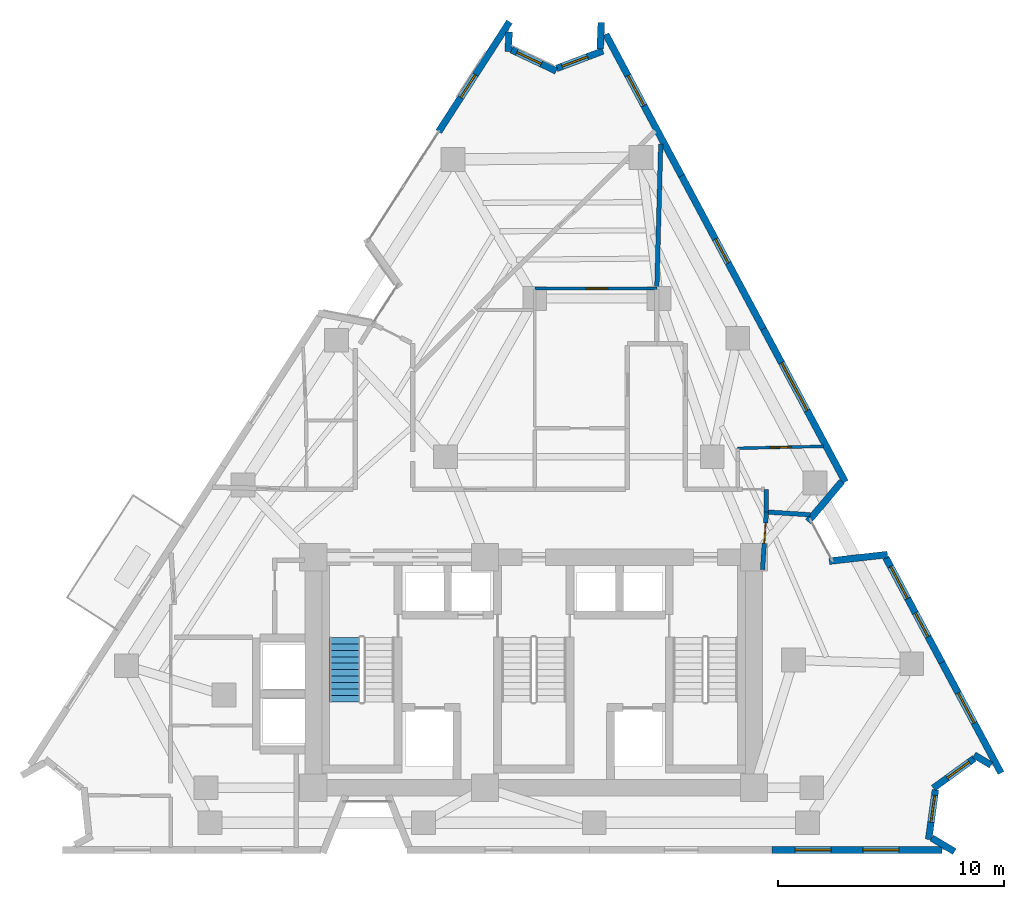
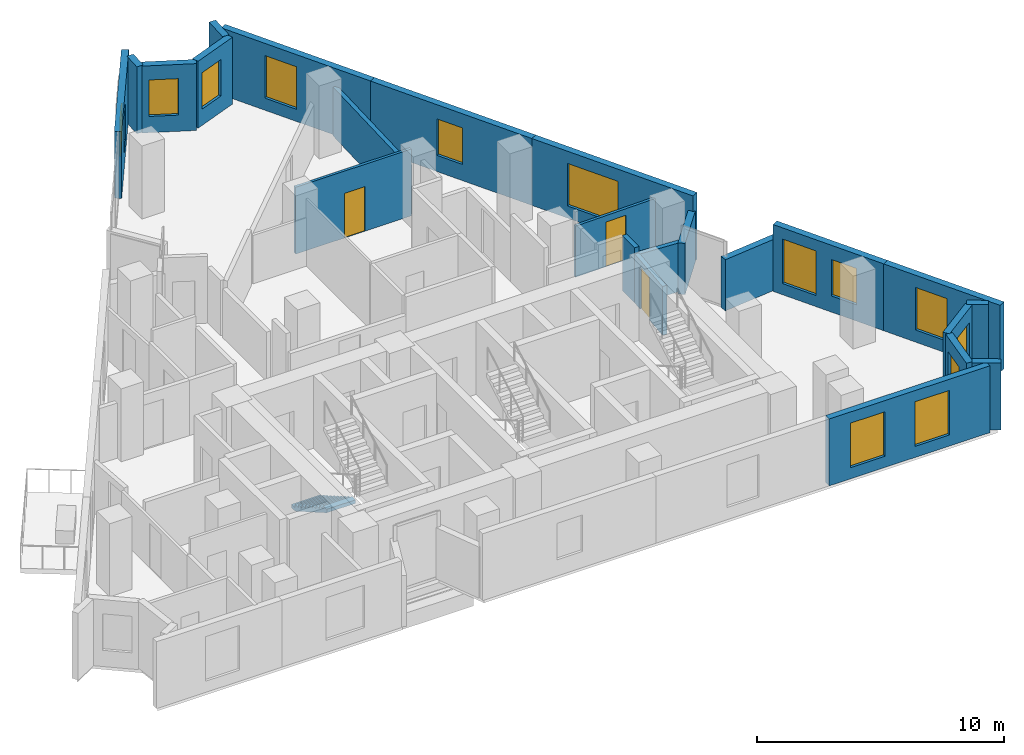
# One storey, part 8 of 11: 23 walls, 13 windows, 3 doors, 1 stair flight, 16 openings, 1 element without a shape of its own.
"""IFC4 building model written with IfcOpenShell, lengths in metres."""

import ifcopenshell
import ifcopenshell.guid

model = None  # the IFC model being written
_history = None  # IfcOwnerHistory: only IFC2X3 demands one
_inside = {}  # id of a spatial element -> (the spatial element, [elements in it])
_under = {}  # id of a project, library or spatial element -> (it, [spatial elements below it])
_declared = {}  # id of a project -> (the project, [libraries it declares])
_typed = {}  # id of a type object -> (the type object, [elements of that type])
_made_of = {}  # id of a material, layer set ... -> (it, [elements and type objects made of it])


def new_model(schema):
    """Start an empty IFC model of exactly this schema.

    Asked for "IFC4X3", IfcOpenShell would pick the latest addendum, in which some entities
    have other attributes; the version numbers below select the first issue.
    IFC2X3 requires an IfcOwnerHistory on every rooted entity: one is made here for all.
    """
    global model, _history
    if schema == "IFC4X3":
        model = ifcopenshell.file(schema_version=(4, 3, 0, 0))
    else:
        model = ifcopenshell.file(schema=schema)
    _inside.clear()
    _under.clear()
    _declared.clear()
    _typed.clear()
    _made_of.clear()
    _history = None
    if model.schema == "IFC2X3":
        org = make("IfcOrganization", Name="unknown")
        user = make(
            "IfcPersonAndOrganization",
            ThePerson=make("IfcPerson", FamilyName="unknown"),
            TheOrganization=org,
        )
        app = make(
            "IfcApplication",
            ApplicationDeveloper=org,
            Version="unknown",
            ApplicationFullName="unknown",
            ApplicationIdentifier="unknown",
        )
        _history = make(
            "IfcOwnerHistory",
            OwningUser=user,
            OwningApplication=app,
            ChangeAction="ADDED",
            CreationDate=0,
        )
    return model


def make(cls, **values):
    """One entity of the class cls with the attributes given. An attribute that is None is left unset."""
    return model.create_entity(
        cls, **{name: value for name, value in values.items() if value is not None}
    )


def rooted(cls, **values):
    """An entity with a GlobalId (a new one), such as an element, a storey or a relation."""
    return make(cls, GlobalId=ifcopenshell.guid.new(), OwnerHistory=_history, **values)


def si_unit(unit_type, name, prefix=None):
    """IfcSIUnit, for example si_unit("LENGTHUNIT", "METRE", prefix="MILLI")."""
    return make("IfcSIUnit", UnitType=unit_type, Prefix=prefix, Name=name)


def assignment(units):
    """IfcUnitAssignment: the units of a project."""
    return None if units is None else make("IfcUnitAssignment", Units=units)


def point(xyz):
    """IfcCartesianPoint."""
    return None if xyz is None else make("IfcCartesianPoint", Coordinates=xyz)


def direction(xyz):
    """IfcDirection."""
    return None if xyz is None else make("IfcDirection", DirectionRatios=xyz)


def frame(location, z_axis=None, x_axis=None):
    """IfcAxis2Placement3D, a coordinate frame: its origin and axes. An axis left out is left unset."""
    return make(
        "IfcAxis2Placement3D",
        Location=point(location),
        Axis=direction(z_axis),
        RefDirection=direction(x_axis),
    )


def frame_2d(location, x_axis=None):
    """IfcAxis2Placement2D, a coordinate frame in the plane: its origin and x axis."""
    return make(
        "IfcAxis2Placement2D", Location=point(location), RefDirection=direction(x_axis)
    )


def origin():
    """The frame at (0, 0, 0) with its axes left unset."""
    return frame((0.0, 0.0, 0.0))


def place(relative_to, where):
    """IfcLocalPlacement: puts the frame where relative to a parent placement (None: the world)."""
    return make(
        "IfcLocalPlacement", PlacementRelTo=relative_to, RelativePlacement=where
    )


def context(
    kind, dimensions, precision=None, world=None, true_north=None, identifier=None
):
    """IfcGeometricRepresentationContext, for example the 3D "Model" context."""
    return make(
        "IfcGeometricRepresentationContext",
        ContextIdentifier=identifier,
        ContextType=kind,
        CoordinateSpaceDimension=dimensions,
        Precision=precision,
        WorldCoordinateSystem=world,
        TrueNorth=true_north,
    )


def subcontext(parent, identifier, kind, view, scale=None):
    """IfcGeometricRepresentationSubContext, for example "Body" below "Model"."""
    return make(
        "IfcGeometricRepresentationSubContext",
        ContextIdentifier=identifier,
        ContextType=kind,
        ParentContext=parent,
        TargetScale=scale,
        TargetView=view,
    )


def project(units=None, contexts=None):
    """IfcProject with its units and contexts."""
    return rooted(
        "IfcProject",
        Name="project",
        RepresentationContexts=contexts,
        UnitsInContext=assignment(units),
    )


def spatial(cls, under=None, at=None, **own):
    """A site, building, storey or space (cls), placed at a placement, below another one or the project."""
    s = rooted(cls, ObjectPlacement=at, **own)
    if under is not None:
        _under.setdefault(under.id(), (under, []))[1].append(s)
    return s


def polyline(points):
    """IfcPolyline through the points."""
    return make("IfcPolyline", Points=[point(p) for p in points])


def profile(cls, at=None, kind="AREA", **sizes):
    """A parametric profile (cls). Its sizes go by their IFC names, for example OverallWidth=200.0."""
    return make(cls, ProfileType=kind, Position=at, **sizes)


def rectangle(**sizes):
    """IfcRectangleProfileDef."""
    return profile("IfcRectangleProfileDef", **sizes)


def outline(outer, holes=None, kind="AREA"):
    """IfcArbitraryClosedProfileDef: a profile drawn as a closed curve; with holes, ...WithVoids."""
    if holes is None:
        return make("IfcArbitraryClosedProfileDef", ProfileType=kind, OuterCurve=outer)
    return make(
        "IfcArbitraryProfileDefWithVoids",
        ProfileType=kind,
        OuterCurve=outer,
        InnerCurves=holes,
    )


def extrude(swept, where, along, depth):
    """IfcExtrudedAreaSolid: the profile swept, set in the frame where, extruded along a direction by depth."""
    return make(
        "IfcExtrudedAreaSolid",
        SweptArea=swept,
        Position=where,
        ExtrudedDirection=direction(along),
        Depth=depth,
    )


def shape(context_of_items, identifier, shape_type, items):
    """IfcShapeRepresentation: the items that make up one representation, for example the "Body"."""
    return make(
        "IfcShapeRepresentation",
        ContextOfItems=context_of_items,
        RepresentationIdentifier=identifier,
        RepresentationType=shape_type,
        Items=items,
    )


def material(Name=None, Category=None):
    """IfcMaterial."""
    return make("IfcMaterial", Name=Name, Category=Category)


def layer(
    of_material, thickness, ventilated=None, Name=None, Category=None, Priority=None
):
    """IfcMaterialLayer: one layer of a wall or slab, of a material (None: an air gap)."""
    return make(
        "IfcMaterialLayer",
        Material=of_material,
        LayerThickness=thickness,
        IsVentilated=ventilated,
        Name=Name,
        Category=Category,
        Priority=Priority,
    )


def layer_set(layers, Name=None):
    """IfcMaterialLayerSet."""
    return make("IfcMaterialLayerSet", MaterialLayers=layers, LayerSetName=Name)


def made_of(thing, what):
    """Note that an element or type object is made of a material, layer set ...; save() writes the relation."""
    if what is not None:
        _made_of.setdefault(what.id(), (what, []))[1].append(thing)
    return thing


def type_object(cls, material=None, **own):
    """A type object (cls), such as IfcWallType, which elements share."""
    return made_of(rooted(cls, **own), material)


def element(
    cls,
    number,
    at=None,
    inside=None,
    cuts=None,
    type_object=None,
    material=None,
    context=None,
    identifier="Body",
    shape_type=None,
    held_by="IfcProductDefinitionShape",
    body=None,
    shapes=None,
    **own,
):
    """One element of the class cls, such as IfcWall. Its Tag is "e" and its number.

    at: its placement. inside: the storey or other place that contains it. cuts: it is an
    opening in that element (IfcRelVoidsElement). A single representation is given by context,
    identifier, shape_type and body (its items); several are given by shapes. held_by: the class
    of the entity that holds the representations. save() writes the other relations.
    """
    e = rooted(cls, Tag="e%d" % number, ObjectPlacement=at, **own)
    if body is not None:
        shapes = [shape(context, identifier, shape_type, body)]
    if shapes is not None:
        e.Representation = make(held_by, Representations=shapes)
    if inside is not None:
        _inside.setdefault(inside.id(), (inside, []))[1].append(e)
    if cuts is not None:
        rooted(
            "IfcRelVoidsElement", RelatingBuildingElement=cuts, RelatedOpeningElement=e
        )
    if type_object is not None:
        _typed.setdefault(type_object.id(), (type_object, []))[1].append(e)
    return made_of(e, material)


def fill(opening, filler):
    """IfcRelFillsElement: the door or window that sits in an opening."""
    return rooted(
        "IfcRelFillsElement",
        RelatingOpeningElement=opening,
        RelatedBuildingElement=filler,
    )


def aggregate(whole, parts):
    """IfcRelAggregates: a whole, such as a stair, and the parts it consists of."""
    return rooted("IfcRelAggregates", RelatingObject=whole, RelatedObjects=parts)


def save(model, path):
    """Write the relations noted so far, then the file.

    IfcRelAggregates (storeys below a building ...), IfcRelContainedInSpatialStructure (elements
    in a storey), IfcRelDefinesByType, IfcRelAssociatesMaterial and IfcRelDeclares: one each for
    every whole, place, type object, material and project.
    """
    for whole, parts in _under.values():
        aggregate(whole, parts)
    for where, things in _inside.values():
        rooted(
            "IfcRelContainedInSpatialStructure",
            RelatedElements=things,
            RelatingStructure=where,
        )
    for kind, things in _typed.values():
        rooted("IfcRelDefinesByType", RelatedObjects=things, RelatingType=kind)
    for what, things in _made_of.values():
        rooted("IfcRelAssociatesMaterial", RelatedObjects=things, RelatingMaterial=what)
    for by, libraries in _declared.values():
        rooted("IfcRelDeclares", RelatingContext=by, RelatedDefinitions=libraries)
    model.write(path)


model = new_model("IFC4")

# Units and contexts
model_context = context("Model", 3, precision=1e-05, world=origin(), true_north=direction((0.0, 1.0)))
body_context = subcontext(model_context, "Body", "Model", "MODEL_VIEW")
ifc_project = project(units=[si_unit("LENGTHUNIT", "METRE"), si_unit("AREAUNIT", "SQUARE_METRE"), si_unit("VOLUMEUNIT", "CUBIC_METRE"), si_unit("PLANEANGLEUNIT", "RADIAN"), si_unit("MASSUNIT", "GRAM", prefix="KILO")], contexts=[model_context])

# Site, building, storey
site_placement = place(None, origin())
site = spatial("IfcSite", under=ifc_project, at=site_placement, CompositionType="ELEMENT")
building_placement = place(site_placement, origin())
building = spatial("IfcBuilding", under=site, at=building_placement, Name="Almagre Mirador Tower", CompositionType="ELEMENT")
storey_placement = place(building_placement, frame((0.0, 0.0, 193.199951171875)))
storey = spatial("IfcBuildingStorey", under=building, at=storey_placement, Name="L50", CompositionType="ELEMENT", Elevation=193.199951171875)

# Wall, opening, window
ifc_material_1 = material(Name="Precast concrete C50/60", Category="concrete")
ifc_layer_1 = layer(ifc_material_1, 0.300048828125)
ifc_layer_set_1 = layer_set([ifc_layer_1], Name="Precast concrete C50/60")
wall_type_1 = type_object("IfcWallType", Name="WAL-EXT-300", PredefinedType="SOLIDWALL", material=ifc_layer_set_1)
wall_1_placement = place(storey_placement, frame((33.097900390625, 33.580078125, 0.0), z_axis=(0.0, 0.0, 1.0), x_axis=(0.542037422538, 0.840354349408, 0.0)))
wall_1 = element("IfcWall", 1, at=wall_1_placement, inside=storey, type_object=wall_type_1, Name="L50 expressed almagre precast frame wall 03", PredefinedType="SOLIDWALL", context=body_context, shape_type="SweptSolid", body=[
    extrude(rectangle(XDim=5.781982421875, YDim=0.300048828125, at=frame_2d((2.89111328125, 0.0))), origin(), (0.0, 0.0, 1.0), 3.300048828125),
])
opening_1_placement = place(wall_1_placement, frame((1.800048828125, 0.0, 0.800048828125)))
opening_1 = element("IfcOpeningElement", 2, at=opening_1_placement, cuts=wall_1, Name="Opening WN-04", PredefinedType="OPENING", context=body_context, shape_type="SweptSolid", body=[
    extrude(rectangle(XDim=1.199951171875, YDim=1.800048828125, at=frame_2d((0.60009765625, 0.89990234375))), frame((0.0, 0.159902, 0.0), z_axis=(0.0, -1.0, 0.0), x_axis=(1.0, 0.0, 0.0)), (0.0, 0.0, 1.0), 0.320049),
])
ifc_material_2 = material(Name="Dark solar-control laminated hurricane glass", Category="glass")
window_type_1 = type_object("IfcWindowType", Name="WIN-1200X1800", PartitioningType="SINGLE_PANEL", PredefinedType="WINDOW", material=ifc_material_2)
window_1_placement = place(opening_1_placement, origin())
window_1 = element("IfcWindow", 3, at=window_1_placement, inside=storey, type_object=window_type_1, Name="L50 recessed hurricane window L50-RST-G", OverallHeight=1.800048828125, OverallWidth=1.199951171875, PartitioningType="SINGLE_PANEL", PredefinedType="WINDOW", context=body_context, shape_type="SweptSolid", body=[
    extrude(rectangle(XDim=1.199951171875, YDim=1.800048828125, at=frame_2d((0.60009765625, 0.89990234375))), frame((0.0, 0.030029296875, 0.0), z_axis=(0.0, -1.0, 0.0), x_axis=(1.0, 0.0, 0.0)), (0.0, 0.0, 1.0), 0.06005859375),
])
fill(opening_1, window_1)

# Wall
wall_2_placement = place(storey_placement, frame((36.213623046875, 37.994384765625, 0.0), z_axis=(0.0, 0.0, 1.0), x_axis=(-0.040926134278, -0.999162174791, 0.0)))
element("IfcWall", 4, at=wall_2_placement, inside=storey, type_object=wall_type_1, Name="L50 expressed almagre precast frame wall 04", PredefinedType="SOLIDWALL", context=body_context, shape_type="SweptSolid", body=[
    extrude(rectangle(XDim=0.864990234375, YDim=0.300048828125, at=frame_2d((0.4326171875, 0.0))), origin(), (0.0, 0.0, 1.0), 3.300048828125),
])

# Wall, opening, window
wall_3_placement = place(storey_placement, frame((36.310546875, 37.2099609375, 0.0), z_axis=(0.0, 0.0, 1.0), x_axis=(0.903471604204, -0.428647944585, 0.0)))
wall_3 = element("IfcWall", 5, at=wall_3_placement, inside=storey, type_object=wall_type_1, Name="L50 expressed almagre precast frame wall 05", PredefinedType="SOLIDWALL", context=body_context, shape_type="SweptSolid", body=[
    extrude(rectangle(XDim=2.204833984375, YDim=0.300048828125, at=frame_2d((1.1025390625, 0.0))), origin(), (0.0, 0.0, 1.0), 3.300048828125),
])
opening_2_placement = place(wall_3_placement, frame((0.27001953125, 0.0, 0.800048828125)))
opening_2 = element("IfcOpeningElement", 6, at=opening_2_placement, cuts=wall_3, Name="Opening WN-04", PredefinedType="OPENING", context=body_context, shape_type="SweptSolid", body=[
    extrude(rectangle(XDim=1.199951171875, YDim=1.800048828125, at=frame_2d((0.60009765625, 0.89990234375))), frame((0.0, 0.159902, 0.0), z_axis=(0.0, -1.0, 0.0), x_axis=(1.0, 0.0, 0.0)), (0.0, 0.0, 1.0), 0.320049),
])
window_2_placement = place(opening_2_placement, origin())
window_2 = element("IfcWindow", 7, at=window_2_placement, inside=storey, type_object=window_type_1, Name="L50 recessed hurricane window L50-RST-G", OverallHeight=1.800048828125, OverallWidth=1.199951171875, PartitioningType="SINGLE_PANEL", PredefinedType="WINDOW", context=body_context, shape_type="SweptSolid", body=[
    extrude(rectangle(XDim=1.199951171875, YDim=1.800048828125, at=frame_2d((0.60009765625, 0.89990234375))), frame((0.0, 0.030029296875, 0.0), z_axis=(0.0, -1.0, 0.0), x_axis=(1.0, 0.0, 0.0)), (0.0, 0.0, 1.0), 0.06005859375),
])
fill(opening_2, window_2)

wall_4_placement = place(storey_placement, frame((38.31640625, 36.3779296875, 0.0), z_axis=(0.0, 0.0, 1.0), x_axis=(0.935503953589, 0.353316222129, 0.0)))
wall_4 = element("IfcWall", 8, at=wall_4_placement, inside=storey, type_object=wall_type_1, Name="L50 expressed almagre precast frame wall 06", PredefinedType="SOLIDWALL", context=body_context, shape_type="SweptSolid", body=[
    extrude(rectangle(XDim=2.1953125, YDim=0.300048828125, at=frame_2d((1.09765625, 0.0))), origin(), (0.0, 0.0, 1.0), 3.300048828125),
])
opening_3_placement = place(wall_4_placement, frame((0.260009765625, 0.0, 0.800048828125)))
opening_3 = element("IfcOpeningElement", 9, at=opening_3_placement, cuts=wall_4, Name="Opening WN-04", PredefinedType="OPENING", context=body_context, shape_type="SweptSolid", body=[
    extrude(rectangle(XDim=1.199951171875, YDim=1.800048828125, at=frame_2d((0.60009765625, 0.89990234375))), frame((0.0, 0.159902, 0.0), z_axis=(0.0, -1.0, 0.0), x_axis=(1.0, 0.0, 0.0)), (0.0, 0.0, 1.0), 0.320049),
])
window_3_placement = place(opening_3_placement, origin())
window_3 = element("IfcWindow", 10, at=window_3_placement, inside=storey, type_object=window_type_1, Name="L50 recessed hurricane window L50-RST-G", OverallHeight=1.800048828125, OverallWidth=1.199951171875, PartitioningType="SINGLE_PANEL", PredefinedType="WINDOW", context=body_context, shape_type="SweptSolid", body=[
    extrude(rectangle(XDim=1.199951171875, YDim=1.800048828125, at=frame_2d((0.60009765625, 0.89990234375))), frame((0.0, 0.030029296875, 0.0), z_axis=(0.0, -1.0, 0.0), x_axis=(1.0, 0.0, 0.0)), (0.0, 0.0, 1.0), 0.06005859375),
])
fill(opening_3, window_3)

# Wall
wall_5_placement = place(storey_placement, frame((40.24462890625, 37.239013671875, 0.0), z_axis=(0.0, 0.0, 1.0), x_axis=(0.040939027533, 0.999161646594, 0.0)))
element("IfcWall", 11, at=wall_5_placement, inside=storey, type_object=wall_type_1, Name="L50 expressed almagre precast frame wall 07", PredefinedType="SOLIDWALL", context=body_context, shape_type="SweptSolid", body=[
    extrude(rectangle(XDim=1.1748046875, YDim=0.300048828125, at=frame_2d((0.58740234375, 0.0))), origin(), (0.0, 0.0, 1.0), 3.300048828125),
])

# Wall, opening, window
wall_6_placement = place(storey_placement, frame((40.49462890625, 37.885009765625, 0.0), z_axis=(0.0, 0.0, 1.0), x_axis=(0.471731834897, -0.88174206883, 0.0)))
wall_6 = element("IfcWall", 12, at=wall_6_placement, inside=storey, type_object=wall_type_1, Name="L50 expressed almagre precast frame wall 08", PredefinedType="SOLIDWALL", context=body_context, shape_type="SweptSolid", body=[
    extrude(rectangle(XDim=7.10009765625, YDim=0.300048828125, at=frame_2d((3.550048828125, 0.0))), origin(), (0.0, 0.0, 1.0), 3.300048828125),
])
opening_4_placement = place(wall_6_placement, frame((2.070068359375, 0.0, 0.60009765625)))
opening_4 = element("IfcOpeningElement", 13, at=opening_4_placement, cuts=wall_6, Name="Opening WN-03", PredefinedType="OPENING", context=body_context, shape_type="SweptSolid", body=[
    extrude(rectangle(XDim=1.5, YDim=2.10009765625, at=frame_2d((0.75, 1.050048828125))), frame((0.0, 0.159902, 0.0), z_axis=(0.0, -1.0, 0.0), x_axis=(1.0, 0.0, 0.0)), (0.0, 0.0, 1.0), 0.320049),
])
ifc_material_3 = material(Name="Dark solar-control laminated hurricane glass", Category="glass")
window_type_2 = type_object("IfcWindowType", Name="WIN-1500X2100", PartitioningType="DOUBLE_PANEL_VERTICAL", PredefinedType="WINDOW", material=ifc_material_3)
window_4_placement = place(opening_4_placement, origin())
window_4 = element("IfcWindow", 14, at=window_4_placement, inside=storey, type_object=window_type_2, Name="L50 recessed hurricane window L50-RST-G", OverallHeight=2.10009765625, OverallWidth=1.5, PartitioningType="SINGLE_PANEL", PredefinedType="WINDOW", context=body_context, shape_type="SweptSolid", body=[
    extrude(rectangle(XDim=1.5, YDim=2.10009765625, at=frame_2d((0.75, 1.050048828125))), frame((0.0, 0.030029296875, 0.0), z_axis=(0.0, -1.0, 0.0), x_axis=(1.0, 0.0, 0.0)), (0.0, 0.0, 1.0), 0.06005859375),
])
fill(opening_4, window_4)

wall_7_placement = place(storey_placement, frame((43.843994140625, 31.62451171875, 0.0), z_axis=(0.0, 0.0, 1.0), x_axis=(0.471736169991, -0.881739749542, 0.0)))
wall_7 = element("IfcWall", 15, at=wall_7_placement, inside=storey, type_object=wall_type_1, Name="L50 expressed almagre precast frame wall 09", PredefinedType="SOLIDWALL", context=body_context, shape_type="SweptSolid", body=[
    extrude(rectangle(XDim=7.68017578125, YDim=0.300048828125, at=frame_2d((3.840087890625, 0.0))), origin(), (0.0, 0.0, 1.0), 3.300048828125),
])
opening_5_placement = place(wall_7_placement, frame((3.175048828125, 0.0, 0.800048828125)))
opening_5 = element("IfcOpeningElement", 16, at=opening_5_placement, cuts=wall_7, Name="Opening WN-04", PredefinedType="OPENING", context=body_context, shape_type="SweptSolid", body=[
    extrude(rectangle(XDim=1.199951171875, YDim=1.800048828125, at=frame_2d((0.60009765625, 0.89990234375))), frame((0.0, 0.159902, 0.0), z_axis=(0.0, -1.0, 0.0), x_axis=(1.0, 0.0, 0.0)), (0.0, 0.0, 1.0), 0.320049),
])
window_5_placement = place(opening_5_placement, origin())
window_5 = element("IfcWindow", 17, at=window_5_placement, inside=storey, type_object=window_type_1, Name="L50 recessed hurricane window L50-UF-ST", OverallHeight=1.800048828125, OverallWidth=1.199951171875, PartitioningType="SINGLE_PANEL", PredefinedType="WINDOW", context=body_context, shape_type="SweptSolid", body=[
    extrude(rectangle(XDim=1.199951171875, YDim=1.800048828125, at=frame_2d((0.60009765625, 0.89990234375))), frame((0.0, 0.030029296875, 0.0), z_axis=(0.0, -1.0, 0.0), x_axis=(1.0, 0.0, 0.0)), (0.0, 0.0, 1.0), 0.06005859375),
])
fill(opening_5, window_5)

wall_8_placement = place(storey_placement, frame((47.467041015625, 24.8525390625, 0.0), z_axis=(0.0, 0.0, 1.0), x_axis=(0.471736169991, -0.881739749542, 0.0)))
wall_8 = element("IfcWall", 18, at=wall_8_placement, inside=storey, type_object=wall_type_1, Name="L50 expressed almagre precast frame wall 10", PredefinedType="SOLIDWALL", context=body_context, shape_type="SweptSolid", body=[
    extrude(rectangle(XDim=7.68017578125, YDim=0.300048828125, at=frame_2d((3.840087890625, 0.0))), origin(), (0.0, 0.0, 1.0), 3.300048828125),
])
opening_6_placement = place(wall_8_placement, frame((1.699951171875, 0.0, 0.60009765625)))
opening_6 = element("IfcOpeningElement", 19, at=opening_6_placement, cuts=wall_8, Name="Opening WN-02", PredefinedType="OPENING", context=body_context, shape_type="SweptSolid", body=[
    extrude(rectangle(XDim=2.39990234375, YDim=2.10009765625, at=frame_2d((1.199951171875, 1.050048828125))), frame((0.0, 0.159902, 0.0), z_axis=(0.0, -1.0, 0.0), x_axis=(1.0, 0.0, 0.0)), (0.0, 0.0, 1.0), 0.320049),
])
ifc_material_4 = material(Name="Dark solar-control laminated hurricane glass", Category="glass")
window_type_3 = type_object("IfcWindowType", Name="WIN-2400X2100", PartitioningType="TRIPLE_PANEL_VERTICAL", PredefinedType="WINDOW", material=ifc_material_4)
window_6_placement = place(opening_6_placement, origin())
window_6 = element("IfcWindow", 20, at=window_6_placement, inside=storey, type_object=window_type_3, Name="L50 recessed hurricane window L50-UF-ST", OverallHeight=2.10009765625, OverallWidth=2.39990234375, PartitioningType="SINGLE_PANEL", PredefinedType="WINDOW", context=body_context, shape_type="SweptSolid", body=[
    extrude(rectangle(XDim=2.39990234375, YDim=2.10009765625, at=frame_2d((1.199951171875, 1.050048828125))), frame((0.0, 0.030029296875, 0.0), z_axis=(0.0, -1.0, 0.0), x_axis=(1.0, 0.0, 0.0)), (0.0, 0.0, 1.0), 0.06005859375),
])
fill(opening_6, window_6)

# Walls
wall_9_placement = place(storey_placement, frame((50.93359375, 18.09716796875, 0.0), z_axis=(0.0, 0.0, 1.0), x_axis=(-0.645152076947, -0.764054184996, 0.0)))
element("IfcWall", 21, at=wall_9_placement, inside=storey, type_object=wall_type_1, Name="L50 expressed almagre precast frame wall 11", PredefinedType="SOLIDWALL", context=body_context, shape_type="SweptSolid", body=[
    extrude(rectangle(XDim=2.31396484375, YDim=0.300048828125, at=frame_2d((1.156982421875, 0.0))), origin(), (0.0, 0.0, 1.0), 2.525146484375),
])
wall_10_placement = place(storey_placement, frame((50.3779296875, 14.577392578125, 0.0), z_axis=(0.0, 0.0, 1.0), x_axis=(0.993674192695, 0.112301374752, 0.0)))
element("IfcWall", 22, at=wall_10_placement, inside=storey, type_object=wall_type_1, Name="L50 expressed almagre precast frame wall 12", PredefinedType="SOLIDWALL", context=body_context, shape_type="SweptSolid", body=[
    extrude(rectangle(XDim=2.593505859375, YDim=0.300048828125, at=frame_2d((1.296875, 0.0))), origin(), (0.0, 0.0, 1.0), 2.525146484375),
])

# Wall, openings, windows
wall_11_placement = place(storey_placement, frame((52.882080078125, 14.7294921875, 0.0), z_axis=(0.0, 0.0, 1.0), x_axis=(0.47178229043, -0.881715073273, 0.0)))
wall_11 = element("IfcWall", 23, at=wall_11_placement, inside=storey, type_object=wall_type_1, Name="L50 expressed almagre precast frame wall 13", PredefinedType="SOLIDWALL", context=body_context, shape_type="SweptSolid", body=[
    extrude(rectangle(XDim=5.26171875, YDim=0.300048828125, at=frame_2d((2.630859375, 0.0))), origin(), (0.0, 0.0, 1.0), 3.300048828125),
])
opening_7_placement = place(wall_11_placement, frame((2.77001953125, 0.0, 0.800048828125)))
opening_7 = element("IfcOpeningElement", 24, at=opening_7_placement, cuts=wall_11, Name="Opening WN-04", PredefinedType="OPENING", context=body_context, shape_type="SweptSolid", body=[
    extrude(rectangle(XDim=1.199951171875, YDim=1.800048828125, at=frame_2d((0.60009765625, 0.89990234375))), frame((0.0, 0.159902, 0.0), z_axis=(0.0, -1.0, 0.0), x_axis=(1.0, 0.0, 0.0)), (0.0, 0.0, 1.0), 0.320049),
])
opening_8_placement = place(wall_11_placement, frame((0.445068359375, 0.0, 0.550048828125)))
opening_8 = element("IfcOpeningElement", 25, at=opening_8_placement, cuts=wall_11, Name="Opening WN-06", PredefinedType="OPENING", context=body_context, shape_type="SweptSolid", body=[
    extrude(rectangle(XDim=1.60009765625, YDim=2.199951171875, at=frame_2d((0.800048828125, 1.10009765625))), frame((0.0, 0.159902, 0.0), z_axis=(0.0, -1.0, 0.0), x_axis=(1.0, 0.0, 0.0)), (0.0, 0.0, 1.0), 0.320049),
])
window_7_placement = place(opening_7_placement, origin())
window_7 = element("IfcWindow", 26, at=window_7_placement, inside=storey, type_object=window_type_1, Name="L50 recessed hurricane window L50-UC-ST", OverallHeight=1.800048828125, OverallWidth=1.199951171875, PartitioningType="SINGLE_PANEL", PredefinedType="WINDOW", context=body_context, shape_type="SweptSolid", body=[
    extrude(rectangle(XDim=1.199951171875, YDim=1.800048828125, at=frame_2d((0.60009765625, 0.89990234375))), frame((0.0, 0.030029296875, 0.0), z_axis=(0.0, -1.0, 0.0), x_axis=(1.0, 0.0, 0.0)), (0.0, 0.0, 1.0), 0.06005859375),
])
fill(opening_7, window_7)
ifc_material_5 = material(Name="Dark solar-control laminated hurricane glass", Category="glass")
window_type_4 = type_object("IfcWindowType", Name="WIN-1600X2200", PartitioningType="DOUBLE_PANEL_VERTICAL", PredefinedType="WINDOW", material=ifc_material_5)
window_8_placement = place(opening_8_placement, origin())
window_8 = element("IfcWindow", 27, at=window_8_placement, inside=storey, type_object=window_type_4, Name="L50 recessed hurricane window L50-UC-BT", OverallHeight=2.199951171875, OverallWidth=1.60009765625, PartitioningType="SINGLE_PANEL", PredefinedType="WINDOW", context=body_context, shape_type="SweptSolid", body=[
    extrude(rectangle(XDim=1.60009765625, YDim=2.199951171875, at=frame_2d((0.800048828125, 1.10009765625))), frame((0.0, 0.030029296875, 0.0), z_axis=(0.0, -1.0, 0.0), x_axis=(1.0, 0.0, 0.0)), (0.0, 0.0, 1.0), 0.06005859375),
])
fill(opening_8, window_8)

# Wall, opening, window
wall_12_placement = place(storey_placement, frame((55.364501953125, 10.090087890625, 0.0), z_axis=(0.0, 0.0, 1.0), x_axis=(0.471765361947, -0.881724131045, 0.0)))
wall_12 = element("IfcWall", 28, at=wall_12_placement, inside=storey, type_object=wall_type_1, Name="L50 expressed almagre precast frame wall 14", PredefinedType="SOLIDWALL", context=body_context, shape_type="SweptSolid", body=[
    extrude(rectangle(XDim=5.5419921875, YDim=0.300048828125, at=frame_2d((2.77099609375, 0.0))), origin(), (0.0, 0.0, 1.0), 3.300048828125),
])
opening_9_placement = place(wall_12_placement, frame((1.52490234375, 0.0, 0.60009765625)))
opening_9 = element("IfcOpeningElement", 29, at=opening_9_placement, cuts=wall_12, Name="Opening WN-03", PredefinedType="OPENING", context=body_context, shape_type="SweptSolid", body=[
    extrude(rectangle(XDim=1.5, YDim=2.10009765625, at=frame_2d((0.75, 1.050048828125))), frame((0.0, 0.159902, 0.0), z_axis=(0.0, -1.0, 0.0), x_axis=(1.0, 0.0, 0.0)), (0.0, 0.0, 1.0), 0.320049),
])
window_9_placement = place(opening_9_placement, origin())
window_9 = element("IfcWindow", 30, at=window_9_placement, inside=storey, type_object=window_type_2, Name="L50 recessed hurricane window L50-UC-ST", OverallHeight=2.10009765625, OverallWidth=1.5, PartitioningType="SINGLE_PANEL", PredefinedType="WINDOW", context=body_context, shape_type="SweptSolid", body=[
    extrude(rectangle(XDim=1.5, YDim=2.10009765625, at=frame_2d((0.75, 1.050048828125))), frame((0.0, 0.030029296875, 0.0), z_axis=(0.0, -1.0, 0.0), x_axis=(1.0, 0.0, 0.0)), (0.0, 0.0, 1.0), 0.06005859375),
])
fill(opening_9, window_9)

# Wall
wall_13_placement = place(storey_placement, frame((57.539794921875, 5.55029296875, 0.0), z_axis=(0.0, 0.0, 1.0), x_axis=(-0.857935586933, 0.513757266297, 0.0)))
element("IfcWall", 31, at=wall_13_placement, inside=storey, type_object=wall_type_1, Name="L50 expressed almagre precast frame wall 15", PredefinedType="SOLIDWALL", context=body_context, shape_type="SweptSolid", body=[
    extrude(rectangle(XDim=0.875244140625, YDim=0.300048828125, at=frame_2d((0.4375, 0.0))), origin(), (0.0, 0.0, 1.0), 3.300048828125),
])

# Wall, opening, window
wall_14_placement = place(storey_placement, frame((56.795654296875, 5.845947265625, 0.0), z_axis=(0.0, 0.0, 1.0), x_axis=(-0.809618227437, -0.586956834701, 0.0)))
wall_14 = element("IfcWall", 32, at=wall_14_placement, inside=storey, type_object=wall_type_1, Name="L50 expressed almagre precast frame wall 16", PredefinedType="SOLIDWALL", context=body_context, shape_type="SweptSolid", body=[
    extrude(rectangle(XDim=2.235595703125, YDim=0.300048828125, at=frame_2d((1.11767578125, 0.0))), origin(), (0.0, 0.0, 1.0), 3.300048828125),
])
opening_10_placement = place(wall_14_placement, frame((0.27001953125, 0.0, 0.800048828125)))
opening_10 = element("IfcOpeningElement", 33, at=opening_10_placement, cuts=wall_14, Name="Opening WN-04", PredefinedType="OPENING", context=body_context, shape_type="SweptSolid", body=[
    extrude(rectangle(XDim=1.199951171875, YDim=1.800048828125, at=frame_2d((0.60009765625, 0.89990234375))), frame((0.0, 0.159902, 0.0), z_axis=(0.0, -1.0, 0.0), x_axis=(1.0, 0.0, 0.0)), (0.0, 0.0, 1.0), 0.320049),
])
window_10_placement = place(opening_10_placement, origin())
window_10 = element("IfcWindow", 34, at=window_10_placement, inside=storey, type_object=window_type_1, Name="L50 recessed hurricane window L50-UC-ST", OverallHeight=1.800048828125, OverallWidth=1.199951171875, PartitioningType="SINGLE_PANEL", PredefinedType="WINDOW", context=body_context, shape_type="SweptSolid", body=[
    extrude(rectangle(XDim=1.199951171875, YDim=1.800048828125, at=frame_2d((0.60009765625, 0.89990234375))), frame((0.0, 0.030029296875, 0.0), z_axis=(0.0, -1.0, 0.0), x_axis=(1.0, 0.0, 0.0)), (0.0, 0.0, 1.0), 0.06005859375),
])
fill(opening_10, window_10)

wall_15_placement = place(storey_placement, frame((55.077392578125, 4.45751953125, 0.0), z_axis=(0.0, 0.0, 1.0), x_axis=(-0.135526215052, -0.990773760772, 0.0)))
wall_15 = element("IfcWall", 35, at=wall_15_placement, inside=storey, type_object=wall_type_1, Name="L50 expressed almagre precast frame wall 17", PredefinedType="SOLIDWALL", context=body_context, shape_type="SweptSolid", body=[
    extrude(rectangle(XDim=2.2158203125, YDim=0.300048828125, at=frame_2d((1.10791015625, 0.0))), origin(), (0.0, 0.0, 1.0), 3.300048828125),
])
opening_11_placement = place(wall_15_placement, frame((0.25, 0.0, 0.800048828125)))
opening_11 = element("IfcOpeningElement", 36, at=opening_11_placement, cuts=wall_15, Name="Opening WN-04", PredefinedType="OPENING", context=body_context, shape_type="SweptSolid", body=[
    extrude(rectangle(XDim=1.199951171875, YDim=1.800048828125, at=frame_2d((0.60009765625, 0.89990234375))), frame((0.0, 0.159902, 0.0), z_axis=(0.0, -1.0, 0.0), x_axis=(1.0, 0.0, 0.0)), (0.0, 0.0, 1.0), 0.320049),
])
window_11_placement = place(opening_11_placement, origin())
window_11 = element("IfcWindow", 37, at=window_11_placement, inside=storey, type_object=window_type_1, Name="L50 recessed hurricane window L50-UC-ST", OverallHeight=1.800048828125, OverallWidth=1.199951171875, PartitioningType="SINGLE_PANEL", PredefinedType="WINDOW", context=body_context, shape_type="SweptSolid", body=[
    extrude(rectangle(XDim=1.199951171875, YDim=1.800048828125, at=frame_2d((0.60009765625, 0.89990234375))), frame((0.0, 0.030029296875, 0.0), z_axis=(0.0, -1.0, 0.0), x_axis=(1.0, 0.0, 0.0)), (0.0, 0.0, 1.0), 0.06005859375),
])
fill(opening_11, window_11)

# Wall
wall_16_placement = place(storey_placement, frame((54.916015625, 2.3291015625, 0.0), z_axis=(0.0, 0.0, 1.0), x_axis=(0.858026268656, -0.513605804384, 0.0)))
element("IfcWall", 38, at=wall_16_placement, inside=storey, type_object=wall_type_1, Name="L50 expressed almagre precast frame wall 18", PredefinedType="SOLIDWALL", context=body_context, shape_type="SweptSolid", body=[
    extrude(rectangle(XDim=1.17041015625, YDim=0.300048828125, at=frame_2d((0.585205078125, 0.0))), origin(), (0.0, 0.0, 1.0), 3.300048828125),
])

# Wall, openings, windows
wall_17_placement = place(storey_placement, frame((55.3701171875, 1.800048828125, 0.0), z_axis=(0.0, 0.0, 1.0), x_axis=(-1.0, 0.0, 0.0)))
wall_17 = element("IfcWall", 39, at=wall_17_placement, inside=storey, type_object=wall_type_1, Name="L50 expressed almagre precast frame wall 19", PredefinedType="SOLIDWALL", context=body_context, shape_type="SweptSolid", body=[
    extrude(rectangle(XDim=7.51416015625, YDim=0.300048828125, at=frame_2d((3.757080078125, 0.0))), origin(), (0.0, 0.0, 1.0), 3.300048828125),
])
opening_12_placement = place(wall_17_placement, frame((4.905029296875, 0.0, 0.550048828125)))
opening_12 = element("IfcOpeningElement", 40, at=opening_12_placement, cuts=wall_17, Name="Opening WN-06", PredefinedType="OPENING", context=body_context, shape_type="SweptSolid", body=[
    extrude(rectangle(XDim=1.60009765625, YDim=2.199951171875, at=frame_2d((0.800048828125, 1.10009765625))), frame((0.0, 0.159902, 0.0), z_axis=(0.0, -1.0, 0.0), x_axis=(1.0, 0.0, 0.0)), (0.0, 0.0, 1.0), 0.320049),
])
opening_13_placement = place(wall_17_placement, frame((1.905029296875, 0.0, 0.550048828125)))
opening_13 = element("IfcOpeningElement", 41, at=opening_13_placement, cuts=wall_17, Name="Opening WN-06", PredefinedType="OPENING", context=body_context, shape_type="SweptSolid", body=[
    extrude(rectangle(XDim=1.60009765625, YDim=2.199951171875, at=frame_2d((0.800048828125, 1.10009765625))), frame((0.0, 0.159902, 0.0), z_axis=(0.0, -1.0, 0.0), x_axis=(1.0, 0.0, 0.0)), (0.0, 0.0, 1.0), 0.320049),
])
window_12_placement = place(opening_12_placement, origin())
window_12 = element("IfcWindow", 42, at=window_12_placement, inside=storey, type_object=window_type_4, Name="L50 recessed hurricane window L50-RST-B", OverallHeight=2.199951171875, OverallWidth=1.60009765625, PartitioningType="SINGLE_PANEL", PredefinedType="WINDOW", context=body_context, shape_type="SweptSolid", body=[
    extrude(rectangle(XDim=1.60009765625, YDim=2.199951171875, at=frame_2d((0.800048828125, 1.10009765625))), frame((0.0, 0.030029296875, 0.0), z_axis=(0.0, -1.0, 0.0), x_axis=(1.0, 0.0, 0.0)), (0.0, 0.0, 1.0), 0.06005859375),
])
fill(opening_12, window_12)
window_13_placement = place(opening_13_placement, origin())
window_13 = element("IfcWindow", 43, at=window_13_placement, inside=storey, type_object=window_type_4, Name="L50 recessed hurricane window L50-UC-KT", OverallHeight=2.199951171875, OverallWidth=1.60009765625, PartitioningType="SINGLE_PANEL", PredefinedType="WINDOW", context=body_context, shape_type="SweptSolid", body=[
    extrude(rectangle(XDim=1.60009765625, YDim=2.199951171875, at=frame_2d((0.800048828125, 1.10009765625))), frame((0.0, 0.030029296875, 0.0), z_axis=(0.0, -1.0, 0.0), x_axis=(1.0, 0.0, 0.0)), (0.0, 0.0, 1.0), 0.06005859375),
])
fill(opening_13, window_13)

# Wall, opening, door
ifc_material_6 = material(Name="Gypsum acoustic stud partition", Category="other")
ifc_layer_2 = layer(ifc_material_6, 0.125)
ifc_layer_set_2 = layer_set([ifc_layer_2], Name="Gypsum acoustic stud partition")
wall_type_2 = type_object("IfcWallType", Name="WAL-PRT-125-UTL", PredefinedType="PARTITIONING", material=ifc_layer_set_2)
wall_18_placement = place(storey_placement, frame((42.75, 26.639892578125, 0.0), z_axis=(0.0, 0.0, 1.0), x_axis=(-1.0, 0.0, 0.0)))
wall_18 = element("IfcWall", 44, at=wall_18_placement, inside=storey, type_object=wall_type_2, Name="L50 interior partition 042", PredefinedType="PARTITIONING", context=body_context, shape_type="SweptSolid", body=[
    extrude(rectangle(XDim=5.39990234375, YDim=0.125, at=frame_2d((2.699951171875, 0.0))), origin(), (0.0, 0.0, 1.0), 3.300048828125),
])
opening_14_placement = place(wall_18_placement, frame((2.165283203125, 0.0, 0.0)))
opening_14 = element("IfcOpeningElement", 45, at=opening_14_placement, cuts=wall_18, Name="Opening UD-01", PredefinedType="OPENING", context=body_context, shape_type="SweptSolid", body=[
    extrude(rectangle(XDim=0.949951171875, YDim=2.199951171875, at=frame_2d((0.47509765625, 1.10009765625))), frame((0.0, 0.0725, 0.0), z_axis=(0.0, -1.0, 0.0), x_axis=(1.0, 0.0, 0.0)), (0.0, 0.0, 1.0), 0.145),
])
ifc_material_7 = material(Name="Solid American walnut timber", Category="wood")
door_type_1 = type_object("IfcDoorType", Name="DOR-UNR-950X2200", OperationType="NOTDEFINED", PredefinedType="DOOR", material=ifc_material_7)
door_1_placement = place(opening_14_placement, origin())
door_1 = element("IfcDoor", 46, at=door_1_placement, inside=storey, type_object=door_type_1, Name="DR-1582 L50 interior door L50-UE-ST to L50-UE-KT", OperationType="SINGLE_SWING_RIGHT", OverallHeight=2.199951171875, OverallWidth=0.949951171875, PredefinedType="DOOR", context=body_context, shape_type="SweptSolid", body=[
    extrude(rectangle(XDim=0.949951171875, YDim=2.199951171875, at=frame_2d((0.47509765625, 1.10009765625))), frame((0.0, 0.02490234375, 0.0), z_axis=(0.0, -1.0, 0.0), x_axis=(1.0, 0.0, 0.0)), (0.0, 0.0, 1.0), 0.050048828125),
])
fill(opening_14, door_1)

wall_19_placement = place(storey_placement, frame((46.330078125, 19.570068359375, 0.0), z_axis=(0.0, 0.0, 1.0), x_axis=(0.999743823458, 0.022633768064, 0.0)))
wall_19 = element("IfcWall", 47, at=wall_19_placement, inside=storey, type_object=wall_type_2, Name="L50 interior partition 051", PredefinedType="PARTITIONING", context=body_context, shape_type="SweptSolid", body=[
    extrude(rectangle(XDim=3.796875, YDim=0.125, at=frame_2d((1.8984375, 0.0))), origin(), (0.0, 0.0, 1.0), 2.52001953125),
])
opening_15_placement = place(wall_19_placement, frame((1.42919921875, 0.0, 0.0)))
opening_15 = element("IfcOpeningElement", 48, at=opening_15_placement, cuts=wall_19, Name="Opening UD-01", PredefinedType="OPENING", context=body_context, shape_type="SweptSolid", body=[
    extrude(rectangle(XDim=0.949951171875, YDim=2.199951171875, at=frame_2d((0.47509765625, 1.10009765625))), frame((0.0, 0.0725, 0.0), z_axis=(0.0, -1.0, 0.0), x_axis=(1.0, 0.0, 0.0)), (0.0, 0.0, 1.0), 0.145),
])
door_2_placement = place(opening_15_placement, origin())
door_2 = element("IfcDoor", 49, at=door_2_placement, inside=storey, type_object=door_type_1, Name="DR-1585 L50 interior door L50-UF-ST to L50-UF-KT", OperationType="SINGLE_SWING_LEFT", OverallHeight=2.199951171875, OverallWidth=0.949951171875, PredefinedType="DOOR", context=body_context, shape_type="SweptSolid", body=[
    extrude(rectangle(XDim=0.949951171875, YDim=2.199951171875, at=frame_2d((0.47509765625, 1.10009765625))), frame((0.0, 0.02490234375, 0.0), z_axis=(0.0, -1.0, 0.0), x_axis=(1.0, 0.0, 0.0)), (0.0, 0.0, 1.0), 0.050048828125),
])
fill(opening_15, door_2)

ifc_material_8 = material(Name="Gypsum acoustic stud partition", Category="other")
ifc_layer_3 = layer(ifc_material_8, 0.199951171875)
ifc_layer_set_3 = layer_set([ifc_layer_3], Name="Gypsum acoustic stud partition")
wall_type_3 = type_object("IfcWallType", Name="WAL-PRT-200-EI60", PredefinedType="PARTITIONING", material=ifc_layer_set_3)
wall_20_placement = place(storey_placement, frame((47.425048828125, 14.199951171875, 0.0), z_axis=(0.0, 0.0, 1.0), x_axis=(0.068484119878, 0.997652206595, 0.0)))
wall_20 = element("IfcWall", 50, at=wall_20_placement, inside=storey, type_object=wall_type_3, Name="L50 interior partition 004", PredefinedType="PARTITIONING", context=body_context, shape_type="SweptSolid", body=[
    extrude(rectangle(XDim=2.55615234375, YDim=0.199951171875, at=frame_2d((1.278076171875, 0.0))), origin(), (0.0, 0.0, 1.0), 2.4140625),
])
opening_16_placement = place(wall_20_placement, frame((1.172119140625, 0.0, 0.0)))
opening_16 = element("IfcOpeningElement", 51, at=opening_16_placement, cuts=wall_20, Name="Opening ID-03", PredefinedType="OPENING", context=body_context, shape_type="SweptSolid", body=[
    extrude(rectangle(XDim=0.89990234375, YDim=2.10009765625, at=frame_2d((0.449951171875, 1.050048828125))), frame((0.0, 0.110098, 0.0), z_axis=(0.0, -1.0, 0.0), x_axis=(1.0, 0.0, 0.0)), (0.0, 0.0, 1.0), 0.219951),
])
ifc_material_9 = material(Name="Fire-rated hollow steel", Category="steel")
door_type_2 = type_object("IfcDoorType", Name="DOR-FD60-900X2100", OperationType="NOTDEFINED", PredefinedType="DOOR", material=ifc_material_9)
door_3_placement = place(opening_16_placement, origin())
door_3 = element("IfcDoor", 52, at=door_3_placement, inside=storey, type_object=door_type_2, Name="DR-1572 L50 interior door L50-RCOR to L50-RST-B", OperationType="SINGLE_SWING_LEFT", OverallHeight=2.10009765625, OverallWidth=0.89990234375, PredefinedType="DOOR", context=body_context, shape_type="SweptSolid", body=[
    extrude(rectangle(XDim=0.89990234375, YDim=2.10009765625, at=frame_2d((0.449951171875, 1.050048828125))), frame((0.0, 0.02490234375, 0.0), z_axis=(0.0, -1.0, 0.0), x_axis=(1.0, 0.0, 0.0)), (0.0, 0.0, 1.0), 0.050048828125),
])
fill(opening_16, door_3)

# Walls
wall_21_placement = place(storey_placement, frame((47.60009765625, 16.75, 0.0), z_axis=(0.0, 0.0, 1.0), x_axis=(0.0, 1.0, 0.0)))
element("IfcWall", 53, at=wall_21_placement, inside=storey, type_object=wall_type_3, Name="L50 interior partition 019", PredefinedType="PARTITIONING", context=body_context, shape_type="SweptSolid", body=[
    extrude(rectangle(XDim=1.0, YDim=0.199951171875, at=frame_2d((0.5, 0.0))), origin(), (0.0, 0.0, 1.0), 2.720947265625),
])
wall_22_placement = place(storey_placement, frame((49.5380859375, 16.626953125, 0.0), z_axis=(0.0, 0.0, 1.0), x_axis=(-0.997939995932, 0.064154224478, 0.0)))
element("IfcWall", 54, at=wall_22_placement, inside=storey, type_object=wall_type_3, Name="L50 interior partition 034", PredefinedType="PARTITIONING", context=body_context, shape_type="SweptSolid", body=[
    extrude(rectangle(XDim=1.857177734375, YDim=0.199951171875, at=frame_2d((0.9287109375, 0.0))), origin(), (0.0, 0.0, 1.0), 2.4140625),
])
wall_23_placement = place(storey_placement, frame((42.7509765625, 26.6875, 0.0), z_axis=(0.0, 0.0, 1.0), x_axis=(0.027092926653, 0.999632919289, 0.0)))
element("IfcWall", 55, at=wall_23_placement, inside=storey, type_object=wall_type_3, Name="L50 interior partition 048", PredefinedType="PARTITIONING", context=body_context, shape_type="SweptSolid", body=[
    extrude(rectangle(XDim=6.35302734375, YDim=0.199951171875, at=frame_2d((3.176513671875, 0.0))), origin(), (0.0, 0.0, 1.0), 2.4140625),
])

# Stair, stair flight
ifc_material_10 = material(Name="Concrete C45/55", Category="concrete")
stair_type = type_object("IfcStairType", Name="STR-DL-3600", PredefinedType="HALF_TURN_STAIR", material=ifc_material_10)
stair_placement = place(storey_placement, origin())
stair = element("IfcStair", 56, at=stair_placement, inside=storey, type_object=stair_type, Name="L50 Protected exit stair ST-1", PredefinedType="HALF_TURN_STAIR")
ifc_material_11 = material(Name="Concrete C45/55", Category="concrete")
stair_flight_type = type_object("IfcStairFlightType", Name="FLT-DL-3600", PredefinedType="STRAIGHT", material=ifc_material_11)
stair_flight_placement = place(storey_placement, frame((28.949951171875, 11.199951171875, 0.0), z_axis=(0.0, 0.0, 1.0), x_axis=(0.0, -1.0, 0.0)))
stair_flight = element("IfcStairFlight", 57, at=stair_flight_placement, type_object=stair_flight_type, Name="ST-1 flight 1", NumberOfRisers=11, NumberOfTreads=10, PredefinedType="STRAIGHT", RiserHeight=0.163636364, TreadLength=0.285, context=body_context, shape_type="SweptSolid", body=[
    extrude(outline(polyline([(0.0, 0.0), (0.0, 0.16357421875), (0.284912109375, 0.16357421875), (0.284912109375, 0.327392578125), (0.570068359375, 0.327392578125), (0.570068359375, 0.490966796875), (0.85498046875, 0.490966796875), (0.85498046875, 0.654541015625), (1.139892578125, 0.654541015625), (1.139892578125, 0.818115234375), (1.425048828125, 0.818115234375), (1.425048828125, 0.98193359375), (1.7099609375, 0.98193359375), (1.7099609375, 1.1455078125), (1.9951171875, 1.1455078125), (1.9951171875, 1.30908203125), (2.280029296875, 1.30908203125), (2.280029296875, 1.47265625), (2.56494140625, 1.47265625), (2.56494140625, 1.636474609375), (2.85009765625, 1.636474609375), (2.85009765625, 1.800048828125), (2.85009765625, 1.463623046875), (0.301025390625, 0.0), (0.0, 0.0)])), frame((0.0, 0.675048828125, 0.0), z_axis=(0.0, -1.0, 0.0), x_axis=(1.0, 0.0, 0.0)), (0.0, 0.0, 1.0), 1.35009765625),
])
aggregate(stair, [stair_flight])

save(model, "model.ifc")
